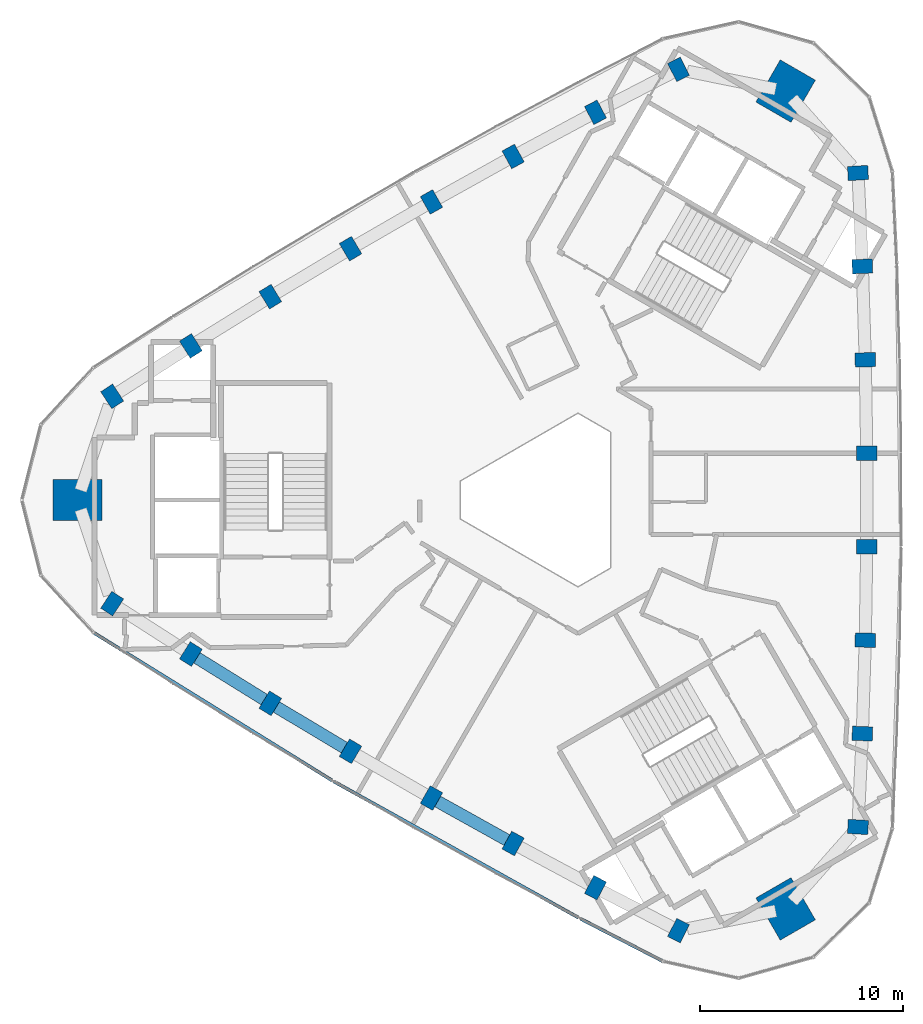
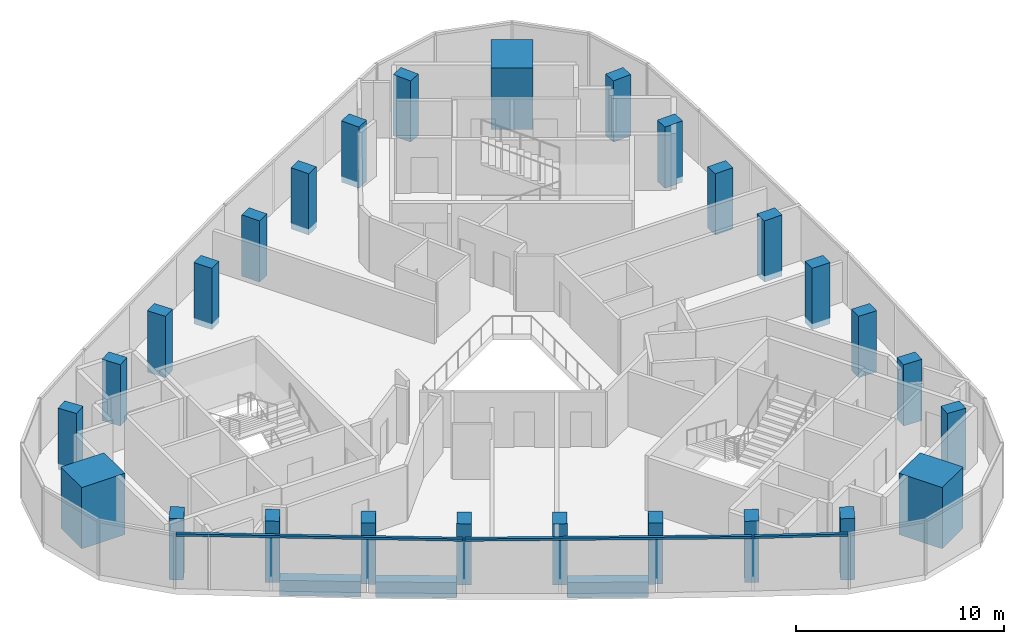
# One storey, part 1 of 10: 27 columns, 3 beams, 3 members, 1 element without a shape of its own.
"""IFC4 building model written with IfcOpenShell, lengths in metres."""

from ifc_helpers import new_model, si_unit, direction, frame, origin, origin_2d, place, context, subcontext, project, spatial, rectangle, extrude, material, material_profile, profile_set, type_object, element, aggregate, save


model = new_model("IFC4")

# Units and contexts
model_context = context("Model", 3, precision=1e-05, world=origin(), true_north=direction((0.0, 1.0)))
body_context = subcontext(model_context, "Body", "Model", "MODEL_VIEW")
ifc_project = project(units=[si_unit("LENGTHUNIT", "METRE"), si_unit("AREAUNIT", "SQUARE_METRE"), si_unit("VOLUMEUNIT", "CUBIC_METRE"), si_unit("PLANEANGLEUNIT", "RADIAN"), si_unit("MASSUNIT", "GRAM", prefix="KILO")], contexts=[model_context])

# Site, building, storey
site_placement = place(None, origin())
site = spatial("IfcSite", under=ifc_project, at=site_placement, CompositionType="ELEMENT")
building_placement = place(site_placement, origin())
building = spatial("IfcBuilding", under=site, at=building_placement, Name="Tamra Quay Hotel Tower", CompositionType="ELEMENT")
storey_placement = place(building_placement, frame((0.0, 0.0, 265.800048828125)))
storey = spatial("IfcBuildingStorey", under=building, at=storey_placement, Name="L67", CompositionType="ELEMENT", Elevation=265.800048828125)

# Columns
ifc_material_1 = material(Name="Concrete M70", Category="concrete")
ifc_material_profile_1 = material_profile(ifc_material_1, rectangle(XDim=1.0, YDim=0.699951171875, at=origin_2d()), Name="COLUMN RC 700x1000 Z6")
ifc_profile_set_1 = profile_set([ifc_material_profile_1], Name="Concrete M70")
column_type_1 = type_object("IfcColumnType", Name="COLUMN RC 700x1000 Z6", PredefinedType="COLUMN", material=ifc_profile_set_1)
for number, where, z_axis, x_axis, name in (
    (1, (15.202392578125, -16.116943359375, -0.35009765625), (0.0, 0.0, 1.0), (-0.998490919119, 0.05491706873, 0.0), "COL-C6E01-L67"),
    (2, (15.418212890625, -11.51513671875, -0.35009765625), (0.0, 0.0, 1.0), (-0.999251212442, 0.03869127076, 0.0), "COL-C6E02-L67"),
    (3, (15.56201171875, -6.909912109375, -0.35009765625), (0.0, 0.0, 1.0), (-0.999717847188, 0.023753442163, 0.0), "COL-C6E03-L67"),
    (4, (15.634033203125, -2.303466796875, -0.35009765625), (0.0, 0.0, 1.0), (-0.999968634555, 0.007920221337, 0.0), "COL-C6E04-L67"),
    (5, (15.634033203125, 2.303466796875, -0.35009765625), (0.0, 0.0, 1.0), (0.999968634555, 0.007920221337, 0.0), "COL-C6E05-L67"),
    (6, (15.56201171875, 6.909912109375, -0.35009765625), (0.0, 0.0, 1.0), (0.999717847188, 0.023753442163, 0.0), "COL-C6E06-L67"),
    (7, (15.418212890625, 11.51513671875, -0.35009765625), (0.0, 0.0, 1.0), (0.999251212442, 0.03869127076, 0.0), "COL-C6E07-L67"),
    (8, (15.202392578125, 16.116943359375, -0.35009765625), (0.0, 0.0, 1.0), (0.998490919119, 0.05491706873, 0.0), "COL-C6E08-L67"),
    (9, (6.3564453125, 21.22412109375, -0.35009765625), (0.0, 0.0, 1.0), (-0.451685882938, 0.89217703577, 0.0), "COL-C6NW01-L67"),
    (10, (2.26318359375, 19.110107421875, -0.35009765625), (0.0, 0.0, 1.0), (-0.466117982839, 0.884722570117, 0.0), "COL-C6NW02-L67"),
    (11, (-1.796875, 16.93212890625, -0.35009765625), (0.0, 0.0, 1.0), (-0.479287839253, 0.877657773363, 0.0), "COL-C6NW03-L67"),
    (12, (-5.822265625, 14.69140625, -0.35009765625), (0.0, 0.0, 1.0), (-0.493125204396, 0.869958351181, 0.0), "COL-C6NW04-L67"),
    (13, (-9.81201171875, 12.3876953125, -0.35009765625), (0.0, 0.0, 1.0), (-0.506843430159, 0.862038129844, 0.0), "COL-C6NW05-L67"),
    (14, (-13.765380859375, 10.022216796875, -0.35009765625), (0.0, 0.0, 1.0), (-0.520430007934, 0.8539043312, 0.0), "COL-C6NW06-L67"),
    (15, (-17.681396484375, 7.594970703125, -0.35009765625), (0.0, 0.0, 1.0), (-0.533133229604, 0.846031299357, 0.0), "COL-C6NW07-L67"),
    (16, (-21.558837890625, 5.107421875, -0.35009765625), (0.0, 0.0, 1.0), (-0.546805036181, 0.83725996704, 0.0), "COL-C6NW08-L67"),
    (17, (-21.558837890625, -5.107421875, -0.35009765625), (0.0, 0.0, 1.0), (0.546805036181, 0.83725996704, 0.0), "COL-C6SW01-L67"),
    (18, (-17.681396484375, -7.594970703125, -0.35009765625), (0.0, 0.0, 1.0), (0.533133229604, 0.846031299357, 0.0), "COL-C6SW02-L67"),
    (19, (-13.765380859375, -10.022216796875, -0.35009765625), (0.0, 0.0, 1.0), (0.520430007934, 0.8539043312, 0.0), "COL-C6SW03-L67"),
    (20, (-9.81201171875, -12.3876953125, -0.35009765625), (0.0, 0.0, 1.0), (0.506843430159, 0.862038129844, 0.0), "COL-C6SW04-L67"),
    (21, (-5.822265625, -14.69140625, -0.35009765625), (0.0, 0.0, 1.0), (0.493125204396, 0.869958351181, 0.0), "COL-C6SW05-L67"),
    (22, (-1.796875, -16.93212890625, -0.35009765625), (0.0, 0.0, 1.0), (0.479287839253, 0.877657773363, 0.0), "COL-C6SW06-L67"),
    (23, (2.26318359375, -19.110107421875, -0.35009765625), (0.0, 0.0, 1.0), (0.466117982839, 0.884722570117, 0.0), "COL-C6SW07-L67"),
    (24, (6.3564453125, -21.22412109375, -0.35009765625), (0.0, 0.0, 1.0), (0.451685882938, 0.89217703577, 0.0), "COL-C6SW08-L67"),
):
    element("IfcColumn", number, at=place(storey_placement, frame(where, z_axis=z_axis, x_axis=x_axis)), inside=storey, type_object=column_type_1, Name=name, PredefinedType="COLUMN", context=body_context, shape_type="SweptSolid", body=[
        extrude(rectangle(XDim=1.0, YDim=0.699951171875, at=origin_2d()), origin(), (0.0, 0.0, 1.0), 3.60009765625),
    ])
ifc_material_profile_2 = material_profile(ifc_material_1, rectangle(XDim=2.39990234375, YDim=2.0, at=origin_2d()), Name="MEGA COLUMN RC 2000x2400 Z6")
ifc_profile_set_2 = profile_set([ifc_material_profile_2], Name="Concrete M70")
column_type_2 = type_object("IfcColumnType", Name="MEGA COLUMN RC 2000x2400 Z6", PredefinedType="COLUMN", material=ifc_profile_set_2)
for number, where, z_axis, x_axis, name in (
    (25, (11.63671875, 20.1552734375, -0.35009765625), (0.0, 0.0, 1.0), (0.5, 0.866025403784, 0.0), "COL-M6NE-L67"),
    (26, (-23.2734375, 0.0, -0.35009765625), (0.0, 0.0, 1.0), (1.0, 0.0, 0.0), "COL-M6W-L67"),
    (27, (11.63671875, -20.1552734375, -0.35009765625), (0.0, 0.0, 1.0), (-0.5, 0.866025403784, 0.0), "COL-M6SE-L67"),
):
    element("IfcColumn", number, at=place(storey_placement, frame(where, z_axis=z_axis, x_axis=x_axis)), inside=storey, type_object=column_type_2, Name=name, PredefinedType="COLUMN", context=body_context, shape_type="SweptSolid", body=[
        extrude(rectangle(XDim=2.39990234375, YDim=2.0, at=origin_2d()), origin(), (0.0, 0.0, 1.0), 3.60009765625),
    ])

# Beams
ifc_material_2 = material(Name="Concrete M60", Category="concrete")
ifc_material_profile_3 = material_profile(ifc_material_2, rectangle(XDim=0.60009765625, YDim=0.89990234375, at=origin_2d()), Name="SPANDREL BEAM RC 600x900")
ifc_profile_set_3 = profile_set([ifc_material_profile_3], Name="Concrete M60")
beam_type = type_object("IfcBeamType", Name="SPANDREL BEAM RC 600x900", PredefinedType="SPANDREL", material=ifc_profile_set_3)
beam_1_placement = place(storey_placement, frame((-17.384033203125, -7.779296875, -0.800048828125), z_axis=(0.849972078006, -0.526827739029, 0.0), x_axis=(0.526827739029, 0.849972078006, 0.0)))
element("IfcBeam", 28, at=beam_1_placement, inside=storey, type_object=beam_type, Name="BM-SP6-019-L67", PredefinedType="SPANDREL", context=body_context, shape_type="SweptSolid", body=[
    extrude(rectangle(XDim=0.60009765625, YDim=0.89990234375, at=origin_2d()), origin(), (0.0, 0.0, 1.0), 3.907470703125),
])
beam_2_placement = place(storey_placement, frame((-13.465087890625, -10.201904296875, -0.800048828125), z_axis=(0.858120821909, -0.513447811376, 0.0), x_axis=(0.513447811376, 0.858120821909, 0.0)))
element("IfcBeam", 29, at=beam_2_placement, inside=storey, type_object=beam_type, Name="BM-SP6-020-L67", PredefinedType="SPANDREL", context=body_context, shape_type="SweptSolid", body=[
    extrude(rectangle(XDim=0.60009765625, YDim=0.89990234375, at=origin_2d()), origin(), (0.0, 0.0, 1.0), 3.9072265625),
])
beam_3_placement = place(storey_placement, frame((-5.516357421875, -14.861572265625, -0.800048828125), z_axis=(0.873726581477, -0.486417373066, 0.0), x_axis=(0.486417373066, 0.873726581477, 0.0)))
element("IfcBeam", 30, at=beam_3_placement, inside=storey, type_object=beam_type, Name="BM-SP6-022-L67", PredefinedType="SPANDREL", context=body_context, shape_type="SweptSolid", body=[
    extrude(rectangle(XDim=0.60009765625, YDim=0.89990234375, at=origin_2d()), origin(), (0.0, 0.0, 1.0), 3.906982421875),
])

# Curtain wall, members
ifc_material_3 = material(Name="Aluminium 6063 anodised dark grey", Category="aluminium")
curtain_wall_type = type_object("IfcCurtainWallType", Name="CW3 CURTAIN WALL", PredefinedType="NOTDEFINED", material=ifc_material_3)
curtain_wall_placement = place(storey_placement, origin())
curtain_wall = element("IfcCurtainWall", 31, at=curtain_wall_placement, inside=storey, type_object=curtain_wall_type, Name="CW3 south-west face L67", PredefinedType="NOTDEFINED")
ifc_material_profile_4 = material_profile(ifc_material_3, rectangle(XDim=0.159912109375, YDim=0.139892578125, at=origin_2d()), Name="TRANSOM 160X140")
ifc_profile_set_4 = profile_set([ifc_material_profile_4], Name="Aluminium 6063 anodised dark grey")
member_type = type_object("IfcMemberType", Name="TRANSOM CW3 Z6", PredefinedType="USERDEFINED", material=ifc_profile_set_4)
member_1_placement = place(storey_placement, frame((-22.4462890625, -6.5576171875, 3.179931640625), z_axis=(0.849981120272, -0.52681315016, 0.0), x_axis=(0.52681315016, 0.849981120272, 0.0)))
member_1 = element("IfcMember", 32, at=member_1_placement, type_object=member_type, Name="CW3 transom L67.SW.1", ObjectType="TRANSOM", PredefinedType="USERDEFINED", context=body_context, shape_type="SweptSolid", body=[
    extrude(rectangle(XDim=0.159912109375, YDim=0.139892578125, at=origin_2d()), origin(), (0.0, 0.0, 1.0), 13.800048828125),
])
member_2_placement = place(storey_placement, frame((-10.63037109375, -13.878173828125, 3.179931640625), z_axis=(0.873726321202, -0.486417840585, 0.0), x_axis=(0.486417840585, 0.873726321202, 0.0)))
member_2 = element("IfcMember", 33, at=member_2_placement, type_object=member_type, Name="CW3 transom L67.SW.4", ObjectType="TRANSOM", PredefinedType="USERDEFINED", context=body_context, shape_type="SweptSolid", body=[
    extrude(rectangle(XDim=0.159912109375, YDim=0.139892578125, at=origin_2d()), origin(), (0.0, 0.0, 1.0), 13.799560546875),
])
member_3_placement = place(storey_placement, frame((1.515380859375, -20.63720703125, 3.179931640625), z_axis=(0.888492499953, -0.45889113908, 0.0), x_axis=(0.45889113908, 0.888492499953, 0.0)))
member_3 = element("IfcMember", 34, at=member_3_placement, type_object=member_type, Name="CW3 transom L67.SW.7", ObjectType="TRANSOM", PredefinedType="USERDEFINED", context=body_context, shape_type="SweptSolid", body=[
    extrude(rectangle(XDim=0.159912109375, YDim=0.139892578125, at=origin_2d()), origin(), (0.0, 0.0, 1.0), 4.534423828125),
])
aggregate(curtain_wall, [member_1, member_2, member_3])

save(model, "model.ifc")
